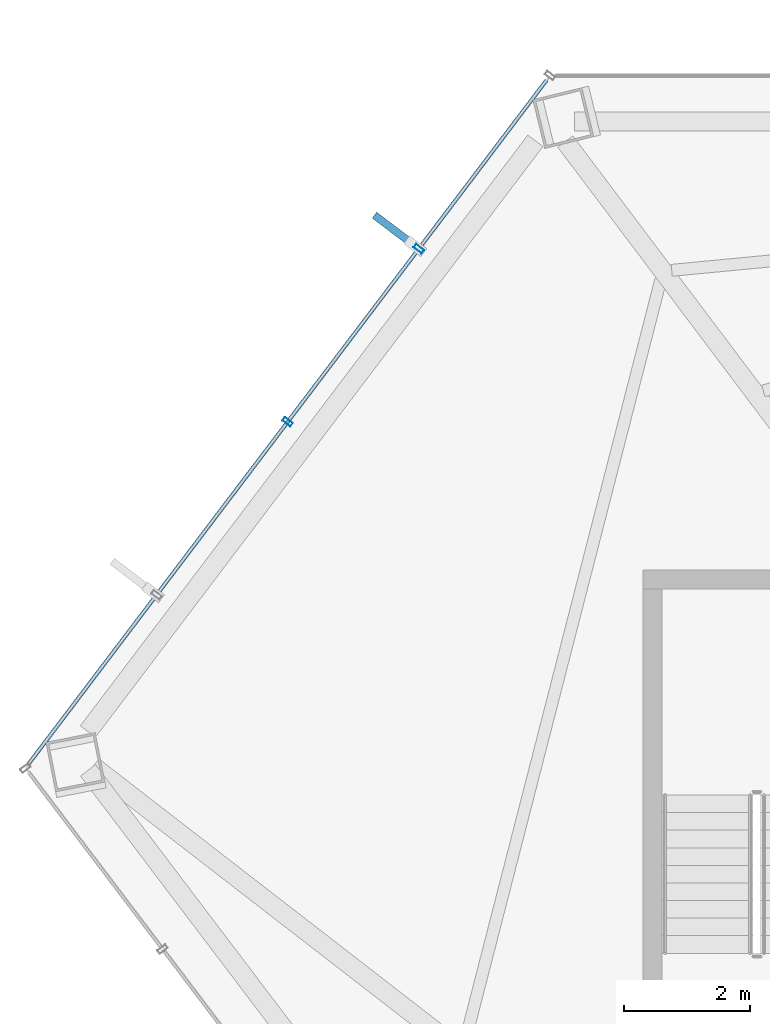
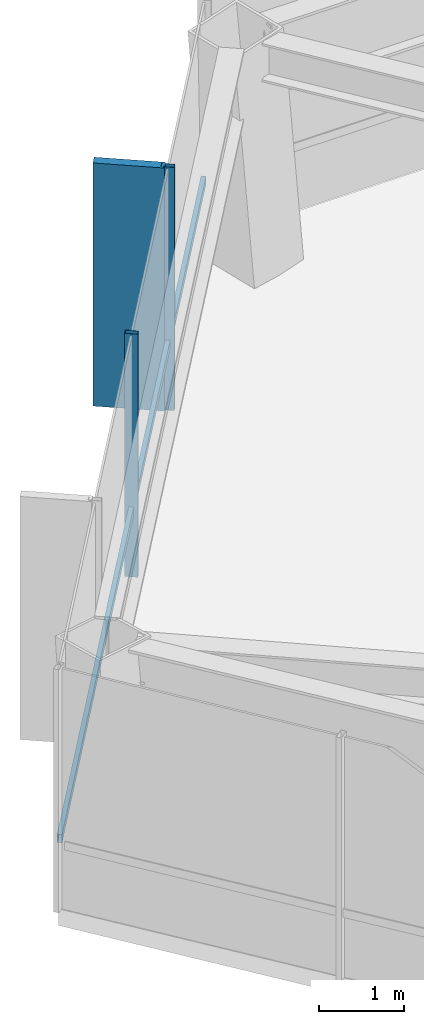
# One storey, part 13 of 30: 4 members, 1 element without a shape of its own.
"""IFC4 building model written with IfcOpenShell, lengths in metres."""

from ifc_helpers import new_model, si_unit, direction, frame, origin, origin_2d, place, context, subcontext, project, spatial, rectangle, hollow_rectangle, extrude, material, layer, layer_set, material_profile, profile_set, type_object, element, aggregate, save


model = new_model("IFC4")

# Units and contexts
model_context = context("Model", 3, precision=1e-05, world=origin(), true_north=direction((0.0, 1.0)))
body_context = subcontext(model_context, "Body", "Model", "MODEL_VIEW")
ifc_project = project(units=[si_unit("LENGTHUNIT", "METRE"), si_unit("AREAUNIT", "SQUARE_METRE"), si_unit("VOLUMEUNIT", "CUBIC_METRE"), si_unit("PLANEANGLEUNIT", "RADIAN"), si_unit("MASSUNIT", "GRAM", prefix="KILO")], contexts=[model_context])

# Site, building, storey
site_placement = place(None, origin())
site = spatial("IfcSite", under=ifc_project, at=site_placement, CompositionType="ELEMENT")
building_placement = place(site_placement, origin())
building = spatial("IfcBuilding", under=site, at=building_placement, Name="Zarrinselat Tower", CompositionType="ELEMENT")
storey_placement = place(building_placement, frame((0.0, 0.0, 160.820068359375)))
storey = spatial("IfcBuildingStorey", under=building, at=storey_placement, Name="L39", CompositionType="ELEMENT", Elevation=160.820068359375)

# Curtain wall, members
ifc_material_1 = material(Name="Extruded Aluminium Alloy EN AW-6063 T6", Category="aluminium")
ifc_layer = layer(ifc_material_1, 0.175048828125)
ifc_layer_set = layer_set([ifc_layer], Name="Extruded Aluminium Alloy EN AW-6063 T6")
curtain_wall_type = type_object("IfcCurtainWallType", Name="CWS-HTL", PredefinedType="NOTDEFINED", material=ifc_layer_set)
curtain_wall_placement = place(storey_placement, origin())
curtain_wall = element("IfcCurtainWall", 1, at=curtain_wall_placement, inside=storey, type_object=curtain_wall_type, Name="L39 Unitised Curtain Wall CW-L39-E02", PredefinedType="NOTDEFINED")
ifc_material_2 = material(Name="Extruded Aluminium Alloy EN AW-6063 T6", Category="aluminium")
ifc_material_profile_1 = material_profile(ifc_material_2, hollow_rectangle(XDim=0.070068359375, YDim=0.159912109375, WallThickness=0.00390625, at=origin_2d()), Name="RHS 160x70x4")
ifc_profile_set_1 = profile_set([ifc_material_profile_1], Name="Extruded Aluminium Alloy EN AW-6063 T6")
member_type_1 = type_object("IfcMemberType", Name="MEM-CW-MUL2", PredefinedType="MULLION", material=ifc_profile_set_1)
member_1_placement = place(storey_placement, frame((19.42138671875, 43.407470703125, 0.0), z_axis=(0.0, 0.0, 1.0), x_axis=(0.603857687995, 0.797092148154, 0.0)))
member_1 = element("IfcMember", 2, at=member_1_placement, type_object=member_type_1, Name="CW-L39-E02 Mullion 2", PredefinedType="MULLION", context=body_context, shape_type="SweptSolid", body=[
    extrude(hollow_rectangle(XDim=0.070068359375, YDim=0.159912109375, WallThickness=0.00390625, at=origin_2d()), origin(), (0.0, 0.0, 1.0), 3.5),
])
member_2_placement = place(storey_placement, frame((21.508056640625, 46.162109375, 0.0), z_axis=(0.0, 0.0, 1.0), x_axis=(0.603857687995, 0.797092148154, 0.0)))
member_2 = element("IfcMember", 3, at=member_2_placement, type_object=member_type_1, Name="CW-L39-E02 Mullion 3", PredefinedType="MULLION", context=body_context, shape_type="SweptSolid", body=[
    extrude(hollow_rectangle(XDim=0.070068359375, YDim=0.159912109375, WallThickness=0.00390625, at=origin_2d()), origin(), (0.0, 0.0, 1.0), 3.5),
])
ifc_material_3 = material(Name="Extruded Aluminium Alloy EN AW-6063 T6", Category="aluminium")
ifc_material_profile_2 = material_profile(ifc_material_3, hollow_rectangle(XDim=0.06005859375, YDim=0.1201171875, WallThickness=0.00390625, at=origin_2d()), Name="RHS 120x60x4")
ifc_profile_set_2 = profile_set([ifc_material_profile_2], Name="Extruded Aluminium Alloy EN AW-6063 T6")
member_type_2 = type_object("IfcMemberType", Name="MEM-CW-TRN2", PredefinedType="USERDEFINED", material=ifc_profile_set_2)
member_3_placement = place(storey_placement, frame((15.3017578125, 37.9697265625, 0.949951171875), z_axis=(0.603866645365, 0.797085362189, 0.0), x_axis=(-0.797085362189, 0.603866645365, 0.0)))
member_3 = element("IfcMember", 4, at=member_3_placement, type_object=member_type_2, Name="CW-L39-E02 Transom 1", ObjectType="TRANSOM", PredefinedType="USERDEFINED", context=body_context, shape_type="SweptSolid", body=[
    extrude(hollow_rectangle(XDim=0.06005859375, YDim=0.1201171875, WallThickness=0.00390625, at=origin_2d()), origin(), (0.0, 0.0, 1.0), 13.643798828125),
])
ifc_material_4 = material(Name="Honed Cream Travertine Stone", Category="masonry")
ifc_material_profile_3 = material_profile(ifc_material_4, rectangle(XDim=0.1201171875, YDim=0.85009765625, at=origin_2d()), Name="FIN 850x120")
ifc_profile_set_3 = profile_set([ifc_material_profile_3], Name="Honed Cream Travertine Stone")
member_type_3 = type_object("IfcMemberType", Name="MEM-STONE-FIN", PredefinedType="USERDEFINED", material=ifc_profile_set_3)
member_4_placement = place(storey_placement, frame((21.141357421875, 46.439697265625, 0.0), z_axis=(0.0, 0.0, 1.0), x_axis=(0.603857687995, 0.797092148154, 0.0)))
member_4 = element("IfcMember", 5, at=member_4_placement, type_object=member_type_3, Name="L39 Stone Shading Fin CW-L39-E02-03", ObjectType="FIN", PredefinedType="USERDEFINED", context=body_context, shape_type="SweptSolid", body=[
    extrude(rectangle(XDim=0.1201171875, YDim=0.85009765625, at=origin_2d()), origin(), (0.0, 0.0, 1.0), 3.5),
])
aggregate(curtain_wall, [member_1, member_2, member_4, member_3])

save(model, "model.ifc")
